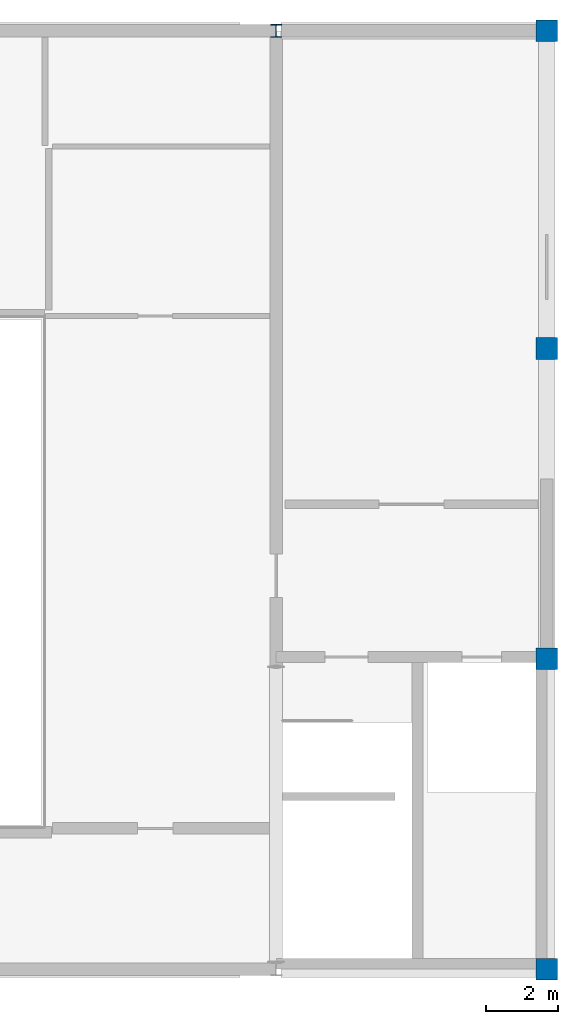
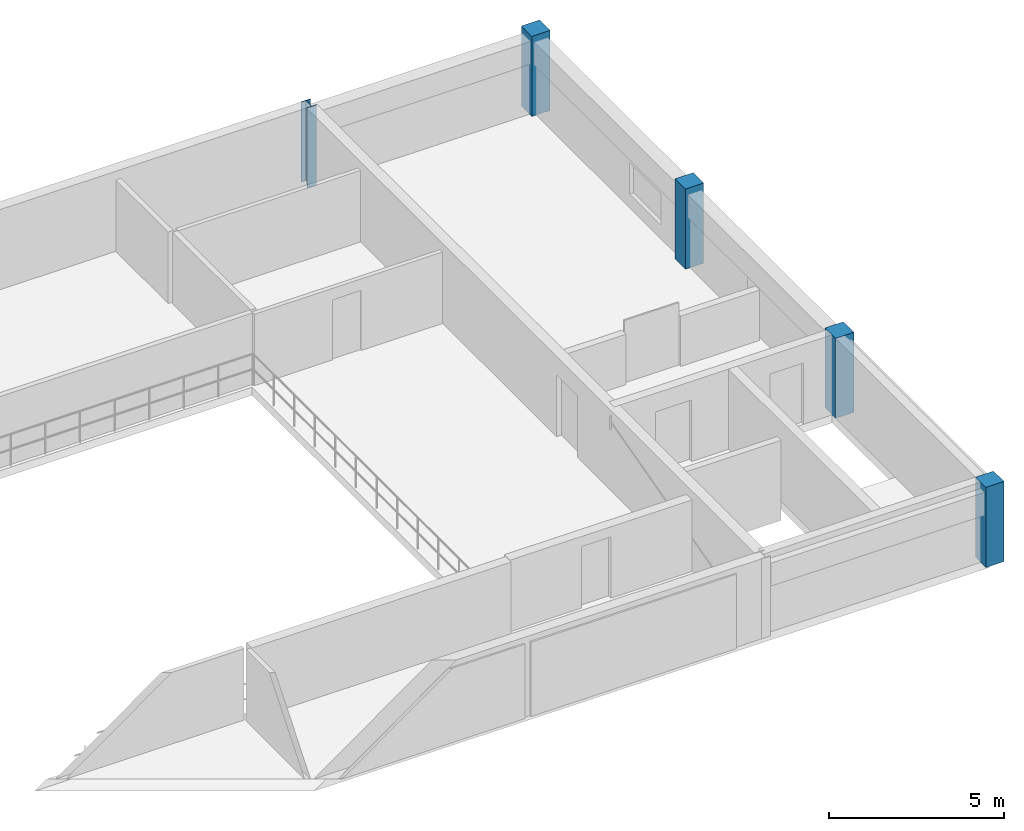
# One storey, part 2 of 6: 5 columns.
"""IFC4 building model written with IfcOpenShell, lengths in metres."""

from ifc_helpers import new_model, si_unit, direction, frame, origin, origin_2d, place, context, subcontext, project, spatial, rectangle, i_section, extrude, material, material_profile, profile_set, type_object, element, save


model = new_model("IFC4")

# Units and contexts
model_context = context("Model", 3, precision=1e-05, world=origin(), true_north=direction((0.0, 1.0)))
body_context = subcontext(model_context, "Body", "Model", "MODEL_VIEW")
ifc_project = project(units=[si_unit("LENGTHUNIT", "METRE"), si_unit("AREAUNIT", "SQUARE_METRE"), si_unit("VOLUMEUNIT", "CUBIC_METRE"), si_unit("PLANEANGLEUNIT", "RADIAN"), si_unit("MASSUNIT", "GRAM", prefix="KILO")], contexts=[model_context])

# Site, building, storey
site_placement = place(None, origin())
site = spatial("IfcSite", under=ifc_project, at=site_placement, CompositionType="ELEMENT")
building_placement = place(site_placement, origin())
building = spatial("IfcBuilding", under=site, at=building_placement, Name="Muzn Square Opera House", CompositionType="ELEMENT")
storey_placement = place(building_placement, frame((0.0, 0.0, 28.199951171875)))
storey = spatial("IfcBuildingStorey", under=building, at=storey_placement, Name="L06", CompositionType="ELEMENT", Elevation=28.199951171875)

# Columns
ifc_material_1 = material(Name="Concrete C45/55", Category="concrete")
ifc_material_profile_1 = material_profile(ifc_material_1, rectangle(XDim=0.60009765625, YDim=0.60009765625, at=origin_2d()), Name="RC 600x600", Category="concrete")
ifc_profile_set_1 = profile_set([ifc_material_profile_1], Name="Concrete C45/55")
column_type_1 = type_object("IfcColumnType", Name="Frame Column 600x600", PredefinedType="COLUMN", material=ifc_profile_set_1)
for number, where, z_axis, x_axis, name in (
    (1, (110.5, 72.60009765625, 0.0), (0.0, 0.0, 1.0), (1.0, 0.0, 0.0), "Column COL-L06-COL-600-1105_726"),
    (2, (110.5, 81.199951171875, 0.0), (0.0, 0.0, 1.0), (1.0, 0.0, 0.0), "Column COL-L06-COL-600-1105_812"),
    (3, (110.5, 89.800048828125, 0.0), (0.0, 0.0, 1.0), (1.0, 0.0, 0.0), "Column COL-L06-COL-600-1105_898"),
    (4, (110.5, 98.60009765625, 0.0), (0.0, 0.0, 1.0), (1.0, 0.0, 0.0), "Column COL-L06-COL-600-1105_986"),
):
    element("IfcColumn", number, at=place(storey_placement, frame(where, z_axis=z_axis, x_axis=x_axis)), inside=storey, type_object=column_type_1, Name=name, PredefinedType="COLUMN", context=body_context, shape_type="SweptSolid", body=[
        extrude(rectangle(XDim=0.60009765625, YDim=0.60009765625, at=origin_2d()), origin(), (0.0, 0.0, 1.0), 2.800048828125),
    ])
ifc_material_2 = material(Name="Steel S355", Category="steel")
ifc_material_profile_2 = material_profile(ifc_material_2, i_section(OverallWidth=0.300048828125, OverallDepth=0.360107421875, WebThickness=0.012451171875, FlangeThickness=0.0224609375, FilletRadius=0.027099609375, at=origin_2d()), Name="HEB 360", Category="steel")
ifc_profile_set_2 = profile_set([ifc_material_profile_2], Name="Steel S355")
column_type_2 = type_object("IfcColumnType", Name="Steel Gallery Column HEB360", PredefinedType="COLUMN", material=ifc_profile_set_2)
column_placement = place(storey_placement, frame((103.0, 98.60009765625, 0.0), z_axis=(0.0, 0.0, 1.0), x_axis=(1.0, 0.0, 0.0)))
element("IfcColumn", 5, at=column_placement, inside=storey, type_object=column_type_2, Name="Column COL-L06-COL-HEB360-1030_986", PredefinedType="COLUMN", context=body_context, shape_type="SweptSolid", body=[
    extrude(i_section(OverallWidth=0.300048828125, OverallDepth=0.360107421875, WebThickness=0.012451171875, FlangeThickness=0.0224609375, FilletRadius=0.027099609375, at=origin_2d()), origin(), (0.0, 0.0, 1.0), 2.800048828125),
])

save(model, "model.ifc")
